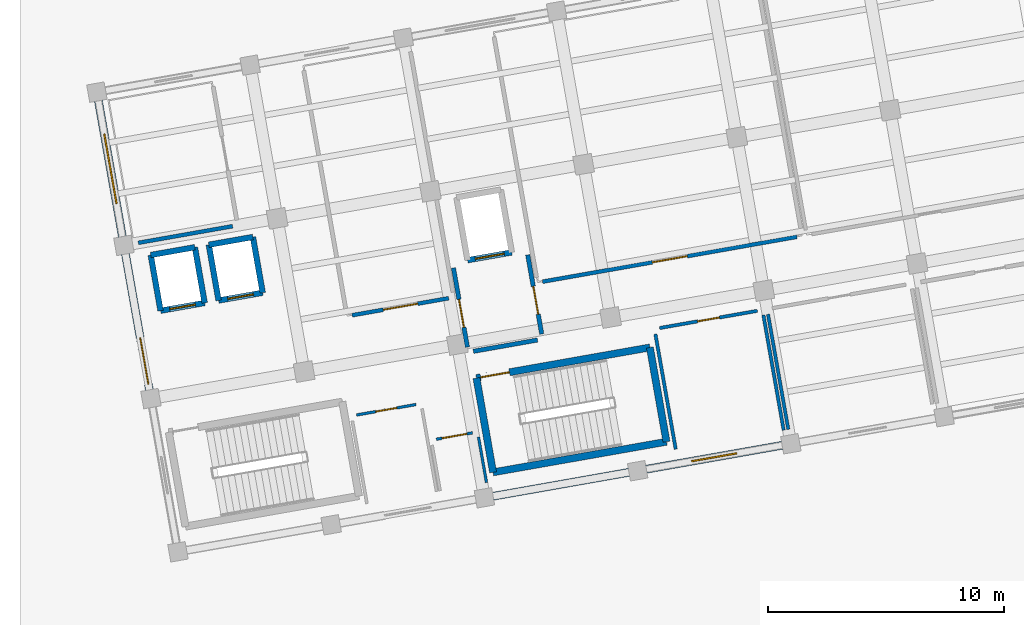
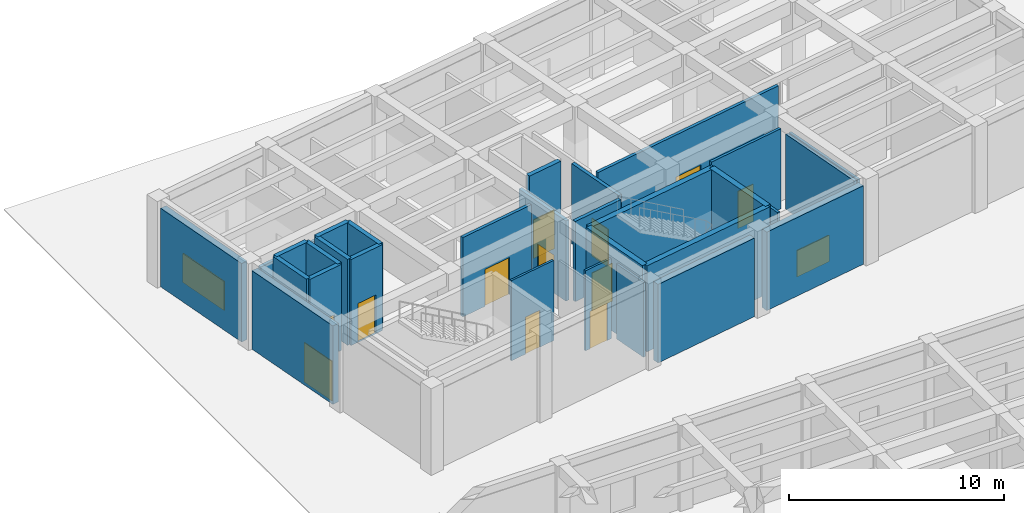
# One storey, part 43 of 57: 30 walls, 12 doors, 2 windows, 14 openings.
"""IFC4 building model written with IfcOpenShell, lengths in metres."""

from ifc_helpers import new_model, si_unit, direction, frame, frame_2d, origin, place, context, subcontext, project, spatial, rectangle, extrude, material, layer, layer_set, type_object, element, fill, save


model = new_model("IFC4")

# Units and contexts
model_context = context("Model", 3, precision=1e-05, world=origin(), true_north=direction((0.0, 1.0)))
body_context = subcontext(model_context, "Body", "Model", "MODEL_VIEW")
ifc_project = project(units=[si_unit("LENGTHUNIT", "METRE"), si_unit("AREAUNIT", "SQUARE_METRE"), si_unit("VOLUMEUNIT", "CUBIC_METRE"), si_unit("PLANEANGLEUNIT", "RADIAN"), si_unit("MASSUNIT", "GRAM", prefix="KILO")], contexts=[model_context])

# Site, building, storey
site_placement = place(None, origin())
site = spatial("IfcSite", under=ifc_project, at=site_placement, CompositionType="ELEMENT")
building_placement = place(site_placement, origin())
building = spatial("IfcBuilding", under=site, at=building_placement, Name="Kharisveld Research Institute", CompositionType="ELEMENT")
storey_placement = place(building_placement, origin())
storey = spatial("IfcBuildingStorey", under=building, at=storey_placement, Name="L00", CompositionType="ELEMENT", Elevation=0.0)

# Wall, opening, door
ifc_material_1 = material(Name="Concrete C40/50", Category="concrete")
ifc_layer_1 = layer(ifc_material_1, 0.239990234375)
ifc_layer_set_1 = layer_set([ifc_layer_1], Name="WL_CORE_240")
wall_type_1 = type_object("IfcWallType", Name="WL_CORE_240", PredefinedType="SHEAR", material=ifc_layer_set_1)
wall_1_placement = place(storey_placement, frame((19.359375, 47.711669921875, 0.0), z_axis=(0.0, 0.0, 1.0), x_axis=(-0.984815882103, -0.173602068988, 0.0)))
wall_1 = element("IfcWall", 1, at=wall_1_placement, inside=storey, type_object=wall_type_1, Name="WL:LFT:FFL-01:L00:S", PredefinedType="SHEAR", context=body_context, shape_type="SweptSolid", body=[
    extrude(rectangle(XDim=1.89990234375, YDim=0.239990234375, at=frame_2d((0.949951171875, 0.0))), origin(), (0.0, 0.0, 1.0), 4.8798828125),
])
opening_1_placement = place(wall_1_placement, frame((0.324951171875, 0.0, 0.0)))
opening_1 = element("IfcOpeningElement", 2, at=opening_1_placement, cuts=wall_1, Name="Opening LD-02", PredefinedType="OPENING", context=body_context, shape_type="SweptSolid", body=[
    extrude(rectangle(XDim=1.25, YDim=2.199951171875, at=frame_2d((0.625, 1.10009765625))), frame((0.0, 0.1201171875, 0.0), z_axis=(0.0, -1.0, 0.0), x_axis=(1.0, 0.0, 0.0)), (0.0, 0.0, 1.0), 0.239990234375),
])
ifc_material_2 = material(Name="Flush Painted Hardwood and Anodised Aluminium", Category="wood")
door_type_1 = type_object("IfcDoorType", Name="DR_LFT_125", OperationType="SLIDING_TO_RIGHT", PredefinedType="DOOR", material=ifc_material_2)
door_1_placement = place(opening_1_placement, origin())
door_1 = element("IfcDoor", 3, at=door_1_placement, inside=storey, type_object=door_type_1, Name="FFL-01 Lift Landing Door L00", OperationType="SLIDING_TO_RIGHT", OverallHeight=2.199951171875, OverallWidth=1.25, PredefinedType="DOOR", context=body_context, shape_type="SweptSolid", body=[
    extrude(rectangle(XDim=1.25, YDim=2.199951171875, at=frame_2d((0.625, 1.10009765625))), frame((0.0, 0.02490234375, 0.0), z_axis=(0.0, -1.0, 0.0), x_axis=(1.0, 0.0, 0.0)), (0.0, 0.0, 1.0), 0.050048828125),
])
fill(opening_1, door_1)

# Walls
wall_2_placement = place(storey_placement, frame((4.462890625, 45.2373046875, 0.0), z_axis=(0.0, 0.0, 1.0), x_axis=(-0.173646056486, 0.984808127031, 0.0)))
element("IfcWall", 4, at=wall_2_placement, inside=storey, type_object=wall_type_1, Name="WL:LFT:PL-01:L00:W", PredefinedType="SHEAR", context=body_context, shape_type="SweptSolid", body=[
    extrude(rectangle(XDim=2.39990234375, YDim=0.239990234375, at=frame_2d((1.199951171875, 0.0))), origin(), (0.0, 0.0, 1.0), 4.8798828125),
])
wall_3_placement = place(storey_placement, frame((4.046142578125, 47.600830078125, 0.0), z_axis=(0.0, 0.0, 1.0), x_axis=(0.984793905749, 0.173726691098, 0.0)))
element("IfcWall", 5, at=wall_3_placement, inside=storey, type_object=wall_type_1, Name="WL:LFT:PL-01:L00:N", PredefinedType="SHEAR", context=body_context, shape_type="SweptSolid", body=[
    extrude(rectangle(XDim=1.89990234375, YDim=0.239990234375, at=frame_2d((0.949951171875, 0.0))), origin(), (0.0, 0.0, 1.0), 4.8798828125),
])
wall_4_placement = place(storey_placement, frame((5.917236328125, 47.930908203125, 0.0), z_axis=(0.0, 0.0, 1.0), x_axis=(0.173646056486, -0.984808127031, 0.0)))
element("IfcWall", 6, at=wall_4_placement, inside=storey, type_object=wall_type_1, Name="WL:LFT:PL-01:L00:E", PredefinedType="SHEAR", context=body_context, shape_type="SweptSolid", body=[
    extrude(rectangle(XDim=2.39990234375, YDim=0.239990234375, at=frame_2d((1.199951171875, 0.0))), origin(), (0.0, 0.0, 1.0), 4.8798828125),
])

# Wall, opening, door
wall_5_placement = place(storey_placement, frame((6.333984375, 45.5673828125, 0.0), z_axis=(0.0, 0.0, 1.0), x_axis=(-0.984793905749, -0.173726691098, 0.0)))
wall_5 = element("IfcWall", 7, at=wall_5_placement, inside=storey, type_object=wall_type_1, Name="WL:LFT:PL-01:L00:S", PredefinedType="SHEAR", context=body_context, shape_type="SweptSolid", body=[
    extrude(rectangle(XDim=1.89990234375, YDim=0.239990234375, at=frame_2d((0.949951171875, 0.0))), origin(), (0.0, 0.0, 1.0), 4.8798828125),
])
opening_2_placement = place(wall_5_placement, frame((0.39990234375, 0.0, 0.0)))
opening_2 = element("IfcOpeningElement", 8, at=opening_2_placement, cuts=wall_5, Name="Opening LD-01", PredefinedType="OPENING", context=body_context, shape_type="SweptSolid", body=[
    extrude(rectangle(XDim=1.10009765625, YDim=2.199951171875, at=frame_2d((0.550048828125, 1.10009765625))), frame((0.0, 0.1201171875, 0.0), z_axis=(0.0, -1.0, 0.0), x_axis=(1.0, 0.0, 0.0)), (0.0, 0.0, 1.0), 0.239990234375),
])
ifc_material_3 = material(Name="Flush Painted Hardwood and Anodised Aluminium", Category="wood")
door_type_2 = type_object("IfcDoorType", Name="DR_LFT_110", OperationType="SLIDING_TO_LEFT", PredefinedType="DOOR", material=ifc_material_3)
door_2_placement = place(opening_2_placement, origin())
door_2 = element("IfcDoor", 9, at=door_2_placement, inside=storey, type_object=door_type_2, Name="PL-01 Lift Landing Door L00", OperationType="SLIDING_TO_LEFT", OverallHeight=2.199951171875, OverallWidth=1.10009765625, PredefinedType="DOOR", context=body_context, shape_type="SweptSolid", body=[
    extrude(rectangle(XDim=1.10009765625, YDim=2.199951171875, at=frame_2d((0.550048828125, 1.10009765625))), frame((0.0, 0.02490234375, 0.0), z_axis=(0.0, -1.0, 0.0), x_axis=(1.0, 0.0, 0.0)), (0.0, 0.0, 1.0), 0.050048828125),
])
fill(opening_2, door_2)

# Walls
wall_6_placement = place(storey_placement, frame((6.9248046875, 45.67138671875, 0.0), z_axis=(0.0, 0.0, 1.0), x_axis=(-0.173646056486, 0.984808127031, 0.0)))
element("IfcWall", 10, at=wall_6_placement, inside=storey, type_object=wall_type_1, Name="WL:LFT:PL-02:L00:W", PredefinedType="SHEAR", context=body_context, shape_type="SweptSolid", body=[
    extrude(rectangle(XDim=2.39990234375, YDim=0.239990234375, at=frame_2d((1.199951171875, 0.0))), origin(), (0.0, 0.0, 1.0), 4.8798828125),
])
wall_7_placement = place(storey_placement, frame((6.508056640625, 48.034912109375, 0.0), z_axis=(0.0, 0.0, 1.0), x_axis=(0.984793905749, 0.173726691098, 0.0)))
element("IfcWall", 11, at=wall_7_placement, inside=storey, type_object=wall_type_1, Name="WL:LFT:PL-02:L00:N", PredefinedType="SHEAR", context=body_context, shape_type="SweptSolid", body=[
    extrude(rectangle(XDim=1.89990234375, YDim=0.239990234375, at=frame_2d((0.949951171875, 0.0))), origin(), (0.0, 0.0, 1.0), 4.8798828125),
])
wall_8_placement = place(storey_placement, frame((8.379150390625, 48.364990234375, 0.0), z_axis=(0.0, 0.0, 1.0), x_axis=(0.173646056486, -0.984808127031, 0.0)))
element("IfcWall", 12, at=wall_8_placement, inside=storey, type_object=wall_type_1, Name="WL:LFT:PL-02:L00:E", PredefinedType="SHEAR", context=body_context, shape_type="SweptSolid", body=[
    extrude(rectangle(XDim=2.39990234375, YDim=0.239990234375, at=frame_2d((1.199951171875, 0.0))), origin(), (0.0, 0.0, 1.0), 4.8798828125),
])

# Wall, opening, door
wall_9_placement = place(storey_placement, frame((8.7958984375, 46.00146484375, 0.0), z_axis=(0.0, 0.0, 1.0), x_axis=(-0.984793905749, -0.173726691098, 0.0)))
wall_9 = element("IfcWall", 13, at=wall_9_placement, inside=storey, type_object=wall_type_1, Name="WL:LFT:PL-02:L00:S", PredefinedType="SHEAR", context=body_context, shape_type="SweptSolid", body=[
    extrude(rectangle(XDim=1.89990234375, YDim=0.239990234375, at=frame_2d((0.949951171875, 0.0))), origin(), (0.0, 0.0, 1.0), 4.8798828125),
])
opening_3_placement = place(wall_9_placement, frame((0.39990234375, 0.0, 0.0)))
opening_3 = element("IfcOpeningElement", 14, at=opening_3_placement, cuts=wall_9, Name="Opening LD-01", PredefinedType="OPENING", context=body_context, shape_type="SweptSolid", body=[
    extrude(rectangle(XDim=1.10009765625, YDim=2.199951171875, at=frame_2d((0.550048828125, 1.10009765625))), frame((0.0, 0.1201171875, 0.0), z_axis=(0.0, -1.0, 0.0), x_axis=(1.0, 0.0, 0.0)), (0.0, 0.0, 1.0), 0.239990234375),
])
door_3_placement = place(opening_3_placement, origin())
door_3 = element("IfcDoor", 15, at=door_3_placement, inside=storey, type_object=door_type_2, Name="PL-02 Lift Landing Door L00", OperationType="SLIDING_TO_LEFT", OverallHeight=2.199951171875, OverallWidth=1.10009765625, PredefinedType="DOOR", context=body_context, shape_type="SweptSolid", body=[
    extrude(rectangle(XDim=1.10009765625, YDim=2.199951171875, at=frame_2d((0.550048828125, 1.10009765625))), frame((0.0, 0.02490234375, 0.0), z_axis=(0.0, -1.0, 0.0), x_axis=(1.0, 0.0, 0.0)), (0.0, 0.0, 1.0), 0.050048828125),
])
fill(opening_3, door_3)

# Wall
ifc_material_4 = material(Name="Concrete C40/50", Category="concrete")
ifc_layer_2 = layer(ifc_material_4, 0.300048828125)
ifc_layer_set_2 = layer_set([ifc_layer_2], Name="WL_CORE_300")
wall_type_2 = type_object("IfcWallType", Name="WL_CORE_300", PredefinedType="SHEAR", material=ifc_layer_set_2)
wall_10_placement = place(storey_placement, frame((18.5673828125, 38.382568359375, 0.0), z_axis=(0.0, 0.0, 1.0), x_axis=(-0.173606946886, 0.984815022221, 0.0)))
element("IfcWall", 16, at=wall_10_placement, inside=storey, type_object=wall_type_2, Name="WL:STR:ST2:L00:W", PredefinedType="SHEAR", context=body_context, shape_type="SweptSolid", body=[
    extrude(rectangle(XDim=4.06005859375, YDim=0.300048828125, at=frame_2d((2.030029296875, 0.0))), origin(), (0.0, 0.0, 1.0), 4.8798828125),
])

# Wall, opening, door
wall_11_placement = place(storey_placement, frame((17.862548828125, 42.380859375, 0.0), z_axis=(0.0, 0.0, 1.0), x_axis=(0.984808225754, 0.173645496596, 0.0)))
wall_11 = element("IfcWall", 17, at=wall_11_placement, inside=storey, type_object=wall_type_2, Name="WL:STR:ST2:L00:N", PredefinedType="SHEAR", context=body_context, shape_type="SweptSolid", body=[
    extrude(rectangle(XDim=7.469970703125, YDim=0.300048828125, at=frame_2d((3.73486328125, 0.0))), origin(), (0.0, 0.0, 1.0), 4.8798828125),
])
opening_4_placement = place(wall_11_placement, frame((0.179931640625, 0.0, 0.0)))
opening_4 = element("IfcOpeningElement", 18, at=opening_4_placement, cuts=wall_11, Name="Opening DS-015", PredefinedType="OPENING", context=body_context, shape_type="SweptSolid", body=[
    extrude(rectangle(XDim=1.239990234375, YDim=2.14990234375, at=frame_2d((0.6201171875, 1.074951171875))), frame((0.0, 0.14990234375, 0.0), z_axis=(0.0, -1.0, 0.0), x_axis=(1.0, 0.0, 0.0)), (0.0, 0.0, 1.0), 0.300048828125),
])
ifc_material_5 = material(Name="Flush Painted Hardwood and Anodised Aluminium", Category="wood")
door_type_3 = type_object("IfcDoorType", Name="DR_FD60_124", OperationType="NOTDEFINED", PredefinedType="DOOR", material=ifc_material_5)
door_4_placement = place(opening_4_placement, origin())
door_4 = element("IfcDoor", 19, at=door_4_placement, inside=storey, type_object=door_type_3, Name="DR:STR:ST2:L00", OperationType="SINGLE_SWING_RIGHT", OverallHeight=2.14990234375, OverallWidth=1.239990234375, PredefinedType="DOOR", context=body_context, shape_type="SweptSolid", body=[
    extrude(rectangle(XDim=1.239990234375, YDim=2.14990234375, at=frame_2d((0.6201171875, 1.074951171875))), frame((0.0, 0.02490234375, 0.0), z_axis=(0.0, -1.0, 0.0), x_axis=(1.0, 0.0, 0.0)), (0.0, 0.0, 1.0), 0.050048828125),
])
fill(opening_4, door_4)

# Walls
wall_12_placement = place(storey_placement, frame((25.218994140625, 43.677978515625, 0.0), z_axis=(0.0, 0.0, 1.0), x_axis=(0.173665267602, -0.984804739443, 0.0)))
element("IfcWall", 20, at=wall_12_placement, inside=storey, type_object=wall_type_2, Name="WL:STR:ST2:L00:E", PredefinedType="SHEAR", context=body_context, shape_type="SweptSolid", body=[
    extrude(rectangle(XDim=4.06005859375, YDim=0.300048828125, at=frame_2d((2.030029296875, 0.0))), origin(), (0.0, 0.0, 1.0), 4.8798828125),
])
wall_13_placement = place(storey_placement, frame((25.924072265625, 39.6796875, 0.0), z_axis=(0.0, 0.0, 1.0), x_axis=(-0.984809211193, -0.173639907711, 0.0)))
element("IfcWall", 21, at=wall_13_placement, inside=storey, type_object=wall_type_2, Name="WL:STR:ST2:L00:S", PredefinedType="SHEAR", context=body_context, shape_type="SweptSolid", body=[
    extrude(rectangle(XDim=7.47021484375, YDim=0.300048828125, at=frame_2d((3.735107421875, 0.0))), origin(), (0.0, 0.0, 1.0), 4.8798828125),
])

# Wall, opening, door
ifc_material_6 = material(Name="Concrete C35/45", Category="concrete")
ifc_layer_3 = layer(ifc_material_6, 0.340087890625)
ifc_layer_set_3 = layer_set([ifc_layer_3], Name="WL_EXT_340")
wall_type_3 = type_object("IfcWallType", Name="WL_EXT_340", PredefinedType="SOLIDWALL", material=ifc_layer_set_3)
wall_14_placement = place(storey_placement, frame((3.98974609375, 41.8740234375, 0.0), z_axis=(0.0, 0.0, 1.0), x_axis=(-0.1736474839, 0.984807875342, 0.0)))
wall_14 = element("IfcWall", 22, at=wall_14_placement, inside=storey, type_object=wall_type_3, Name="WL:V1:L00:W1", PredefinedType="SOLIDWALL", context=body_context, shape_type="SweptSolid", body=[
    extrude(rectangle(XDim=5.860107421875, YDim=0.340087890625, at=frame_2d((2.93017578125, 0.0))), origin(), (0.0, 0.0, 1.0), 4.455078125),
])
opening_5_placement = place(wall_14_placement, frame((0.25, 0.0, 0.0)))
opening_5 = element("IfcOpeningElement", 23, at=opening_5_placement, cuts=wall_14, Name="Opening DE-001", PredefinedType="OPENING", context=body_context, shape_type="SweptSolid", body=[
    extrude(rectangle(XDim=2.0, YDim=2.25, at=frame_2d((1.0, 1.125))), frame((0.0, 0.169921875, 0.0), z_axis=(0.0, -1.0, 0.0), x_axis=(1.0, 0.0, 0.0)), (0.0, 0.0, 1.0), 0.340087890625),
])
ifc_material_7 = material(Name="Thermally Broken Powder-Coated Aluminium", Category="aluminium")
door_type_4 = type_object("IfcDoorType", Name="DR_EXT_200", OperationType="DOUBLE_DOOR_SINGLE_SWING", PredefinedType="DOOR", material=ifc_material_7)
door_5_placement = place(opening_5_placement, origin())
door_5 = element("IfcDoor", 24, at=door_5_placement, inside=storey, type_object=door_type_4, Name="DR:V1:L00:EXIT_W1", OperationType="DOUBLE_DOOR_SINGLE_SWING", OverallHeight=2.25, OverallWidth=2.0, PredefinedType="DOOR", context=body_context, shape_type="SweptSolid", body=[
    extrude(rectangle(XDim=2.0, YDim=2.25, at=frame_2d((1.0, 1.125))), frame((0.0, 0.02490234375, 0.0), z_axis=(0.0, -1.0, 0.0), x_axis=(1.0, 0.0, 0.0)), (0.0, 0.0, 1.0), 0.050048828125),
])
fill(opening_5, door_5)

# Wall, opening, window
wall_15_placement = place(storey_placement, frame((2.843505859375, 48.373779296875, 0.0), z_axis=(0.0, 0.0, 1.0), x_axis=(-0.1736474839, 0.984807875342, 0.0)))
wall_15 = element("IfcWall", 25, at=wall_15_placement, inside=storey, type_object=wall_type_3, Name="WL:V1:L00:W2", PredefinedType="SOLIDWALL", context=body_context, shape_type="SweptSolid", body=[
    extrude(rectangle(XDim=5.860107421875, YDim=0.340087890625, at=frame_2d((2.93017578125, 0.0))), origin(), (0.0, 0.0, 1.0), 4.455078125),
])
opening_6_placement = place(wall_15_placement, frame((1.429931640625, 0.0, 0.949951171875)))
opening_6 = element("IfcOpeningElement", 26, at=opening_6_placement, cuts=wall_15, Name="Opening WN-10", PredefinedType="OPENING", context=body_context, shape_type="SweptSolid", body=[
    extrude(rectangle(XDim=3.0, YDim=1.64990234375, at=frame_2d((1.5, 0.824951171875))), frame((0.0, 0.169921875, 0.0), z_axis=(0.0, -1.0, 0.0), x_axis=(1.0, 0.0, 0.0)), (0.0, 0.0, 1.0), 0.340087890625),
])
ifc_material_8 = material(Name="Low-E Double Glazing", Category="glass")
window_type_1 = type_object("IfcWindowType", Name="WN_10", PartitioningType="TRIPLE_PANEL_VERTICAL", PredefinedType="WINDOW", material=ifc_material_8)
window_1_placement = place(opening_6_placement, origin())
window_1 = element("IfcWindow", 27, at=window_1_placement, inside=storey, type_object=window_type_1, Name="WN:V1:L00:W2", OverallHeight=1.64990234375, OverallWidth=3.0, PartitioningType="SINGLE_PANEL", PredefinedType="WINDOW", context=body_context, shape_type="SweptSolid", body=[
    extrude(rectangle(XDim=3.0, YDim=1.64990234375, at=frame_2d((1.5, 0.824951171875))), frame((0.0, 0.030029296875, 0.0), z_axis=(0.0, -1.0, 0.0), x_axis=(1.0, 0.0, 0.0)), (0.0, 0.0, 1.0), 0.06005859375),
])
fill(opening_6, window_1)

wall_16_placement = place(storey_placement, frame((30.83447265625, 39.530029296875, 0.0), z_axis=(0.0, 0.0, 1.0), x_axis=(-0.984807875342, -0.1736474839, 0.0)))
wall_16 = element("IfcWall", 28, at=wall_16_placement, inside=storey, type_object=wall_type_3, Name="WL:V1:L00:S4", PredefinedType="SOLIDWALL", context=body_context, shape_type="SweptSolid", body=[
    extrude(rectangle(XDim=5.860107421875, YDim=0.340087890625, at=frame_2d((2.93017578125, 0.0))), origin(), (0.0, 0.0, 1.0), 4.455078125),
])
opening_7_placement = place(wall_16_placement, frame((1.955078125, 0.0, 0.949951171875)))
opening_7 = element("IfcOpeningElement", 29, at=opening_7_placement, cuts=wall_16, Name="Opening WN-12", PredefinedType="OPENING", context=body_context, shape_type="SweptSolid", body=[
    extrude(rectangle(XDim=1.949951171875, YDim=1.5, at=frame_2d((0.97509765625, 0.75))), frame((0.0, 0.169921875, 0.0), z_axis=(0.0, -1.0, 0.0), x_axis=(1.0, 0.0, 0.0)), (0.0, 0.0, 1.0), 0.340087890625),
])
ifc_material_9 = material(Name="Low-E Double Glazing", Category="glass")
window_type_2 = type_object("IfcWindowType", Name="WN_12", PartitioningType="DOUBLE_PANEL_VERTICAL", PredefinedType="WINDOW", material=ifc_material_9)
window_2_placement = place(opening_7_placement, origin())
window_2 = element("IfcWindow", 30, at=window_2_placement, inside=storey, type_object=window_type_2, Name="WN:V1:L00:S4", OverallHeight=1.5, OverallWidth=1.949951171875, PartitioningType="SINGLE_PANEL", PredefinedType="WINDOW", context=body_context, shape_type="SweptSolid", body=[
    extrude(rectangle(XDim=1.949951171875, YDim=1.5, at=frame_2d((0.97509765625, 0.75))), frame((0.0, 0.030029296875, 0.0), z_axis=(0.0, -1.0, 0.0), x_axis=(1.0, 0.0, 0.0)), (0.0, 0.0, 1.0), 0.06005859375),
])
fill(opening_7, window_2)

# Walls
wall_17_placement = place(storey_placement, frame((24.334716796875, 38.384033203125, 0.0), z_axis=(0.0, 0.0, 1.0), x_axis=(-0.984807875342, -0.1736474839, 0.0)))
element("IfcWall", 31, at=wall_17_placement, inside=storey, type_object=wall_type_3, Name="WL:V1:L00:S3", PredefinedType="SOLIDWALL", context=body_context, shape_type="SweptSolid", body=[
    extrude(rectangle(XDim=5.860107421875, YDim=0.340087890625, at=frame_2d((2.93017578125, 0.0))), origin(), (0.0, 0.0, 1.0), 4.455078125),
])
ifc_material_10 = material(Name="Acoustic Drywall Partition", Category="mineral")
ifc_layer_4 = layer(ifc_material_10, 0.1650390625)
ifc_layer_set_4 = layer_set([ifc_layer_4], Name="WL_LAB_165")
wall_type_4 = type_object("IfcWallType", Name="WL_LAB_165", PredefinedType="PARTITIONING", material=ifc_layer_set_4)
wall_18_placement = place(storey_placement, frame((3.518310546875, 48.1171875, 0.0), z_axis=(0.0, 0.0, 1.0), x_axis=(0.984816834462, 0.173596666326, 0.0)))
element("IfcWall", 32, at=wall_18_placement, inside=storey, type_object=wall_type_4, Name="WL:RM:V1:L00:DL0W:S", PredefinedType="PARTITIONING", context=body_context, shape_type="SweptSolid", body=[
    extrude(rectangle(XDim=4.060302734375, YDim=0.1650390625, at=frame_2d((2.0302734375, 0.0))), origin(), (0.0, 0.0, 1.0), 4.155029296875),
])

# Wall, opening, door
wall_19_placement = place(storey_placement, frame((12.589599609375, 45.045654296875, 0.0), z_axis=(0.0, 0.0, 1.0), x_axis=(0.984805411783, 0.173661454915, 0.0)))
wall_19 = element("IfcWall", 33, at=wall_19_placement, inside=storey, type_object=wall_type_4, Name="WL:RM:V1:L00:DL0A:S", PredefinedType="PARTITIONING", context=body_context, shape_type="SweptSolid", body=[
    extrude(rectangle(XDim=4.159912109375, YDim=0.1650390625, at=frame_2d((2.080078125, 0.0))), origin(), (0.0, 0.0, 1.0), 4.5048828125),
])
opening_8_placement = place(wall_19_placement, frame((1.340087890625, 0.0, 0.0)))
opening_8 = element("IfcOpeningElement", 34, at=opening_8_placement, cuts=wall_19, Name="Opening DI-068", PredefinedType="OPENING", context=body_context, shape_type="SweptSolid", body=[
    extrude(rectangle(XDim=1.47998046875, YDim=2.10009765625, at=frame_2d((0.739990234375, 1.050048828125))), frame((0.0, 0.08251953125, 0.0), z_axis=(0.0, -1.0, 0.0), x_axis=(1.0, 0.0, 0.0)), (0.0, 0.0, 1.0), 0.1650390625),
])
ifc_material_11 = material(Name="Flush Painted Hardwood and Anodised Aluminium", Category="wood")
door_type_5 = type_object("IfcDoorType", Name="DR_VAR_20", OperationType="NOTDEFINED", PredefinedType="DOOR", material=ifc_material_11)
door_6_placement = place(opening_8_placement, origin())
door_6 = element("IfcDoor", 35, at=door_6_placement, inside=storey, type_object=door_type_5, Name="DR:RM:V1:L00:DL0A:S", OperationType="SINGLE_SWING_LEFT", OverallHeight=2.10009765625, OverallWidth=1.47998046875, PredefinedType="DOOR", context=body_context, shape_type="SweptSolid", body=[
    extrude(rectangle(XDim=1.47998046875, YDim=2.10009765625, at=frame_2d((0.739990234375, 1.050048828125))), frame((0.0, 0.02490234375, 0.0), z_axis=(0.0, -1.0, 0.0), x_axis=(1.0, 0.0, 0.0)), (0.0, 0.0, 1.0), 0.050048828125),
])
fill(opening_8, door_6)

wall_20_placement = place(storey_placement, frame((20.6650390625, 46.469482421875, 0.0), z_axis=(0.0, 0.0, 1.0), x_axis=(0.98480552757, 0.173660798302, 0.0)))
wall_20 = element("IfcWall", 36, at=wall_20_placement, inside=storey, type_object=wall_type_4, Name="WL:RM:V1:L00:DL0B:S", PredefinedType="PARTITIONING", context=body_context, shape_type="SweptSolid", body=[
    extrude(rectangle(XDim=10.9599609375, YDim=0.1650390625, at=frame_2d((5.47998046875, 0.0))), origin(), (0.0, 0.0, 1.0), 4.5048828125),
])
opening_9_placement = place(wall_20_placement, frame((4.72509765625, 0.0, 0.0)))
opening_9 = element("IfcOpeningElement", 37, at=opening_9_placement, cuts=wall_20, Name="Opening DI-069", PredefinedType="OPENING", context=body_context, shape_type="SweptSolid", body=[
    extrude(rectangle(XDim=1.510009765625, YDim=2.1201171875, at=frame_2d((0.7548828125, 1.06005859375))), frame((0.0, 0.08251953125, 0.0), z_axis=(0.0, -1.0, 0.0), x_axis=(1.0, 0.0, 0.0)), (0.0, 0.0, 1.0), 0.1650390625),
])
ifc_material_12 = material(Name="Flush Painted Hardwood and Anodised Aluminium", Category="wood")
door_type_6 = type_object("IfcDoorType", Name="DR_VAR_21", OperationType="NOTDEFINED", PredefinedType="DOOR", material=ifc_material_12)
door_7_placement = place(opening_9_placement, origin())
door_7 = element("IfcDoor", 38, at=door_7_placement, inside=storey, type_object=door_type_6, Name="DR:RM:V1:L00:DL0B:S", OperationType="SINGLE_SWING_RIGHT", OverallHeight=2.1201171875, OverallWidth=1.510009765625, PredefinedType="DOOR", context=body_context, shape_type="SweptSolid", body=[
    extrude(rectangle(XDim=1.510009765625, YDim=2.1201171875, at=frame_2d((0.7548828125, 1.06005859375))), frame((0.0, 0.02490234375, 0.0), z_axis=(0.0, -1.0, 0.0), x_axis=(1.0, 0.0, 0.0)), (0.0, 0.0, 1.0), 0.050048828125),
])
fill(opening_9, door_7)

# Wall
ifc_material_13 = material(Name="Masonry Blockwork", Category="masonry")
ifc_layer_5 = layer(ifc_material_13, 0.18505859375)
ifc_layer_set_5 = layer_set([ifc_layer_5], Name="WL_LOB_185")
wall_type_5 = type_object("IfcWallType", Name="WL_LOB_185", PredefinedType="SOLIDWALL", material=ifc_layer_set_5)
wall_21_placement = place(storey_placement, frame((17.7333984375, 43.515625, 0.0), z_axis=(0.0, 0.0, 1.0), x_axis=(0.984808483292, 0.173644035992, 0.0)))
element("IfcWall", 39, at=wall_21_placement, inside=storey, type_object=wall_type_5, Name="WL:RM:V1:L00:FFL:S", PredefinedType="SOLIDWALL", context=body_context, shape_type="SweptSolid", body=[
    extrude(rectangle(XDim=2.760009765625, YDim=0.18505859375, at=frame_2d((1.3798828125, 0.0))), origin(), (0.0, 0.0, 1.0), 4.550048828125),
])

# Wall, opening, door
wall_22_placement = place(storey_placement, frame((20.6298828125, 44.249755859375, 0.0), z_axis=(0.0, 0.0, 1.0), x_axis=(-0.173621956536, 0.984812376145, 0.0)))
wall_22 = element("IfcWall", 40, at=wall_22_placement, inside=storey, type_object=wall_type_5, Name="WL:RM:V1:L00:FFL:E", PredefinedType="SOLIDWALL", context=body_context, shape_type="SweptSolid", body=[
    extrude(rectangle(XDim=3.409912109375, YDim=0.18505859375, at=frame_2d((1.705078125, 0.0))), origin(), (0.0, 0.0, 1.0), 4.550048828125),
])
opening_10_placement = place(wall_22_placement, frame((0.85009765625, 0.0, 0.0)))
opening_10 = element("IfcOpeningElement", 41, at=opening_10_placement, cuts=wall_22, Name="Opening DI-060", PredefinedType="OPENING", context=body_context, shape_type="SweptSolid", body=[
    extrude(rectangle(XDim=1.199951171875, YDim=2.14990234375, at=frame_2d((0.60009765625, 1.074951171875))), frame((0.0, 0.092529296875, 0.0), z_axis=(0.0, -1.0, 0.0), x_axis=(1.0, 0.0, 0.0)), (0.0, 0.0, 1.0), 0.18505859375),
])
ifc_material_14 = material(Name="Flush Painted Hardwood and Anodised Aluminium", Category="wood")
door_type_7 = type_object("IfcDoorType", Name="DR_FD120_120", OperationType="NOTDEFINED", PredefinedType="DOOR", material=ifc_material_14)
door_8_placement = place(opening_10_placement, origin())
door_8 = element("IfcDoor", 42, at=door_8_placement, inside=storey, type_object=door_type_7, Name="DR:RM:V1:L00:FFL:E", OperationType="SINGLE_SWING_RIGHT", OverallHeight=2.14990234375, OverallWidth=1.199951171875, PredefinedType="DOOR", context=body_context, shape_type="SweptSolid", body=[
    extrude(rectangle(XDim=1.199951171875, YDim=2.14990234375, at=frame_2d((0.60009765625, 1.074951171875))), frame((0.0, 0.02490234375, 0.0), z_axis=(0.0, -1.0, 0.0), x_axis=(1.0, 0.0, 0.0)), (0.0, 0.0, 1.0), 0.050048828125),
])
fill(opening_10, door_8)

wall_23_placement = place(storey_placement, frame((16.886474609375, 47.05224609375, 0.0), z_axis=(0.0, 0.0, 1.0), x_axis=(0.173621956536, -0.984812376145, 0.0)))
wall_23 = element("IfcWall", 43, at=wall_23_placement, inside=storey, type_object=wall_type_5, Name="WL:RM:V1:L00:FFL:W", PredefinedType="SOLIDWALL", context=body_context, shape_type="SweptSolid", body=[
    extrude(rectangle(XDim=3.409912109375, YDim=0.18505859375, at=frame_2d((1.705078125, 0.0))), origin(), (0.0, 0.0, 1.0), 4.550048828125),
])
opening_11_placement = place(wall_23_placement, frame((1.360107421875, 0.0, 0.0)))
opening_11 = element("IfcOpeningElement", 44, at=opening_11_placement, cuts=wall_23, Name="Opening DI-061", PredefinedType="OPENING", context=body_context, shape_type="SweptSolid", body=[
    extrude(rectangle(XDim=1.199951171875, YDim=2.14990234375, at=frame_2d((0.60009765625, 1.074951171875))), frame((0.0, 0.092529296875, 0.0), z_axis=(0.0, -1.0, 0.0), x_axis=(1.0, 0.0, 0.0)), (0.0, 0.0, 1.0), 0.18505859375),
])
door_9_placement = place(opening_11_placement, origin())
door_9 = element("IfcDoor", 45, at=door_9_placement, inside=storey, type_object=door_type_7, Name="DR:RM:V1:L00:FFL:W", OperationType="SINGLE_SWING_LEFT", OverallHeight=2.14990234375, OverallWidth=1.199951171875, PredefinedType="DOOR", context=body_context, shape_type="SweptSolid", body=[
    extrude(rectangle(XDim=1.199951171875, YDim=2.14990234375, at=frame_2d((0.60009765625, 1.074951171875))), frame((0.0, 0.02490234375, 0.0), z_axis=(0.0, -1.0, 0.0), x_axis=(1.0, 0.0, 0.0)), (0.0, 0.0, 1.0), 0.050048828125),
])
fill(opening_11, door_9)

# Wall
ifc_material_15 = material(Name="Insulated Stud Partition", Category="mineral")
ifc_layer_6 = layer(ifc_material_15, 0.139892578125)
ifc_layer_set_6 = layer_set([ifc_layer_6], Name="WL_OFF_140")
wall_type_6 = type_object("IfcWallType", Name="WL_OFF_140", PredefinedType="PARTITIONING", material=ifc_layer_set_6)
wall_24_placement = place(storey_placement, frame((30.894287109375, 40.170166015625, 0.0), z_axis=(0.0, 0.0, 1.0), x_axis=(-0.173658971256, 0.98480584975, 0.0)))
element("IfcWall", 46, at=wall_24_placement, inside=storey, type_object=wall_type_6, Name="WL:RM:V1:L00:FCC:E", PredefinedType="PARTITIONING", context=body_context, shape_type="SweptSolid", body=[
    extrude(rectangle(XDim=4.9599609375, YDim=0.139892578125, at=frame_2d((2.47998046875, 0.0))), origin(), (0.0, 0.0, 1.0), 4.2548828125),
])

# Wall, opening, door
wall_25_placement = place(storey_placement, frame((29.778076171875, 45.233154296875, 0.0), z_axis=(0.0, 0.0, 1.0), x_axis=(-0.984811568751, -0.173626536147, 0.0)))
wall_25 = element("IfcWall", 47, at=wall_25_placement, inside=storey, type_object=wall_type_6, Name="WL:RM:V1:L00:FCC:N", PredefinedType="PARTITIONING", context=body_context, shape_type="SweptSolid", body=[
    extrude(rectangle(XDim=4.2099609375, YDim=0.139892578125, at=frame_2d((2.10498046875, 0.0))), origin(), (0.0, 0.0, 1.0), 4.550048828125),
])
opening_12_placement = place(wall_25_placement, frame((1.635009765625, 0.0, 0.0)))
opening_12 = element("IfcOpeningElement", 48, at=opening_12_placement, cuts=wall_25, Name="Opening DI-064", PredefinedType="OPENING", context=body_context, shape_type="SweptSolid", body=[
    extrude(rectangle(XDim=0.93994140625, YDim=2.1201171875, at=frame_2d((0.469970703125, 1.06005859375))), frame((0.0, 0.06982421875, 0.0), z_axis=(0.0, -1.0, 0.0), x_axis=(1.0, 0.0, 0.0)), (0.0, 0.0, 1.0), 0.139892578125),
])
ifc_material_16 = material(Name="Flush Painted Hardwood and Anodised Aluminium", Category="wood")
door_type_8 = type_object("IfcDoorType", Name="DR_OFF_094", OperationType="NOTDEFINED", PredefinedType="DOOR", material=ifc_material_16)
door_10_placement = place(opening_12_placement, origin())
door_10 = element("IfcDoor", 49, at=door_10_placement, inside=storey, type_object=door_type_8, Name="DR:RM:V1:L00:FCC:N", OperationType="SINGLE_SWING_RIGHT", OverallHeight=2.1201171875, OverallWidth=0.93994140625, PredefinedType="DOOR", context=body_context, shape_type="SweptSolid", body=[
    extrude(rectangle(XDim=0.93994140625, YDim=2.1201171875, at=frame_2d((0.469970703125, 1.06005859375))), frame((0.0, 0.02490234375, 0.0), z_axis=(0.0, -1.0, 0.0), x_axis=(1.0, 0.0, 0.0)), (0.0, 0.0, 1.0), 0.050048828125),
])
fill(opening_12, door_10)

# Walls
wall_26_placement = place(storey_placement, frame((25.45361328125, 44.247314453125, 0.0), z_axis=(0.0, 0.0, 1.0), x_axis=(0.173658971256, -0.98480584975, 0.0)))
element("IfcWall", 50, at=wall_26_placement, inside=storey, type_object=wall_type_6, Name="WL:RM:V1:L00:FCC:W", PredefinedType="PARTITIONING", context=body_context, shape_type="SweptSolid", body=[
    extrude(rectangle(XDim=4.9599609375, YDim=0.139892578125, at=frame_2d((2.47998046875, 0.0))), origin(), (0.0, 0.0, 1.0), 4.550048828125),
])
wall_27_placement = place(storey_placement, frame((30.22998046875, 45.089599609375, 0.0), z_axis=(0.0, 0.0, 1.0), x_axis=(0.173650553511, -0.984807334084, 0.0)))
element("IfcWall", 51, at=wall_27_placement, inside=storey, type_object=wall_type_6, Name="WL:RM:V1:L00:REC:W", PredefinedType="PARTITIONING", context=body_context, shape_type="SweptSolid", body=[
    extrude(rectangle(XDim=4.960205078125, YDim=0.139892578125, at=frame_2d((2.47998046875, 0.0))), origin(), (0.0, 0.0, 1.0), 4.2548828125),
])

# Wall, opening, door
ifc_material_17 = material(Name="Moisture-Resistant Partition", Category="mineral")
ifc_layer_7 = layer(ifc_material_17, 0.114990234375)
ifc_layer_set_7 = layer_set([ifc_layer_7], Name="WL_WC_115")
wall_type_7 = type_object("IfcWallType", Name="WL_WC_115", PredefinedType="PARTITIONING", material=ifc_layer_set_7)
wall_28_placement = place(storey_placement, frame((15.29833984375, 41.258544921875, 0.0), z_axis=(0.0, 0.0, 1.0), x_axis=(-0.984803714572, -0.17367107924, 0.0)))
wall_28 = element("IfcWall", 52, at=wall_28_placement, inside=storey, type_object=wall_type_7, Name="WL:RM:V1:L00:WCM:N", PredefinedType="PARTITIONING", context=body_context, shape_type="SweptSolid", body=[
    extrude(rectangle(XDim=2.559814453125, YDim=0.114990234375, at=frame_2d((1.27978515625, 0.0))), origin(), (0.0, 0.0, 1.0), 4.550048828125),
])
opening_13_placement = place(wall_28_placement, frame((0.830078125, 0.0, 0.0)))
opening_13 = element("IfcOpeningElement", 53, at=opening_13_placement, cuts=wall_28, Name="Opening DI-062", PredefinedType="OPENING", context=body_context, shape_type="SweptSolid", body=[
    extrude(rectangle(XDim=0.89990234375, YDim=2.10009765625, at=frame_2d((0.449951171875, 1.050048828125))), frame((0.0, 0.0576171875, 0.0), z_axis=(0.0, -1.0, 0.0), x_axis=(1.0, 0.0, 0.0)), (0.0, 0.0, 1.0), 0.114990234375),
])
ifc_material_18 = material(Name="Flush Painted Hardwood and Anodised Aluminium", Category="wood")
door_type_9 = type_object("IfcDoorType", Name="DR_WC_090", OperationType="NOTDEFINED", PredefinedType="DOOR", material=ifc_material_18)
door_11_placement = place(opening_13_placement, origin())
door_11 = element("IfcDoor", 54, at=door_11_placement, inside=storey, type_object=door_type_9, Name="DR:RM:V1:L00:WCM:N", OperationType="SINGLE_SWING_RIGHT", OverallHeight=2.10009765625, OverallWidth=0.89990234375, PredefinedType="DOOR", context=body_context, shape_type="SweptSolid", body=[
    extrude(rectangle(XDim=0.89990234375, YDim=2.10009765625, at=frame_2d((0.449951171875, 1.050048828125))), frame((0.0, 0.02490234375, 0.0), z_axis=(0.0, -1.0, 0.0), x_axis=(1.0, 0.0, 0.0)), (0.0, 0.0, 1.0), 0.050048828125),
])
fill(opening_13, door_11)

# Wall
wall_29_placement = place(storey_placement, frame((18.288818359375, 37.947509765625, 0.0), z_axis=(0.0, 0.0, 1.0), x_axis=(-0.173643211285, 0.984808628706, 0.0)))
element("IfcWall", 55, at=wall_29_placement, inside=storey, type_object=wall_type_7, Name="WL:RM:V1:L00:WCA:E", PredefinedType="PARTITIONING", context=body_context, shape_type="SweptSolid", body=[
    extrude(rectangle(XDim=1.9599609375, YDim=0.114990234375, at=frame_2d((0.97998046875, 0.0))), origin(), (0.0, 0.0, 1.0), 4.2548828125),
])

# Wall, opening, door
wall_30_placement = place(storey_placement, frame((17.693603515625, 40.05615234375, 0.0), z_axis=(0.0, 0.0, 1.0), x_axis=(-0.984797734253, -0.173704987291, 0.0)))
wall_30 = element("IfcWall", 56, at=wall_30_placement, inside=storey, type_object=wall_type_7, Name="WL:RM:V1:L00:WCA:N", PredefinedType="PARTITIONING", context=body_context, shape_type="SweptSolid", body=[
    extrude(rectangle(XDim=1.56005859375, YDim=0.114990234375, at=frame_2d((0.780029296875, 0.0))), origin(), (0.0, 0.0, 1.0), 4.550048828125),
])
opening_14_placement = place(wall_30_placement, frame((0.25, 0.0, 0.0)))
opening_14 = element("IfcOpeningElement", 57, at=opening_14_placement, cuts=wall_30, Name="Opening DI-063", PredefinedType="OPENING", context=body_context, shape_type="SweptSolid", body=[
    extrude(rectangle(XDim=1.06005859375, YDim=2.1201171875, at=frame_2d((0.530029296875, 1.06005859375))), frame((0.0, 0.0576171875, 0.0), z_axis=(0.0, -1.0, 0.0), x_axis=(1.0, 0.0, 0.0)), (0.0, 0.0, 1.0), 0.114990234375),
])
ifc_material_19 = material(Name="Flush Painted Hardwood and Anodised Aluminium", Category="wood")
door_type_10 = type_object("IfcDoorType", Name="DR_WCA_106", OperationType="NOTDEFINED", PredefinedType="DOOR", material=ifc_material_19)
door_12_placement = place(opening_14_placement, origin())
door_12 = element("IfcDoor", 58, at=door_12_placement, inside=storey, type_object=door_type_10, Name="DR:RM:V1:L00:WCA:N", OperationType="SINGLE_SWING_LEFT", OverallHeight=2.1201171875, OverallWidth=1.06005859375, PredefinedType="DOOR", context=body_context, shape_type="SweptSolid", body=[
    extrude(rectangle(XDim=1.06005859375, YDim=2.1201171875, at=frame_2d((0.530029296875, 1.06005859375))), frame((0.0, 0.02490234375, 0.0), z_axis=(0.0, -1.0, 0.0), x_axis=(1.0, 0.0, 0.0)), (0.0, 0.0, 1.0), 0.050048828125),
])
fill(opening_14, door_12)

save(model, "model.ifc")
